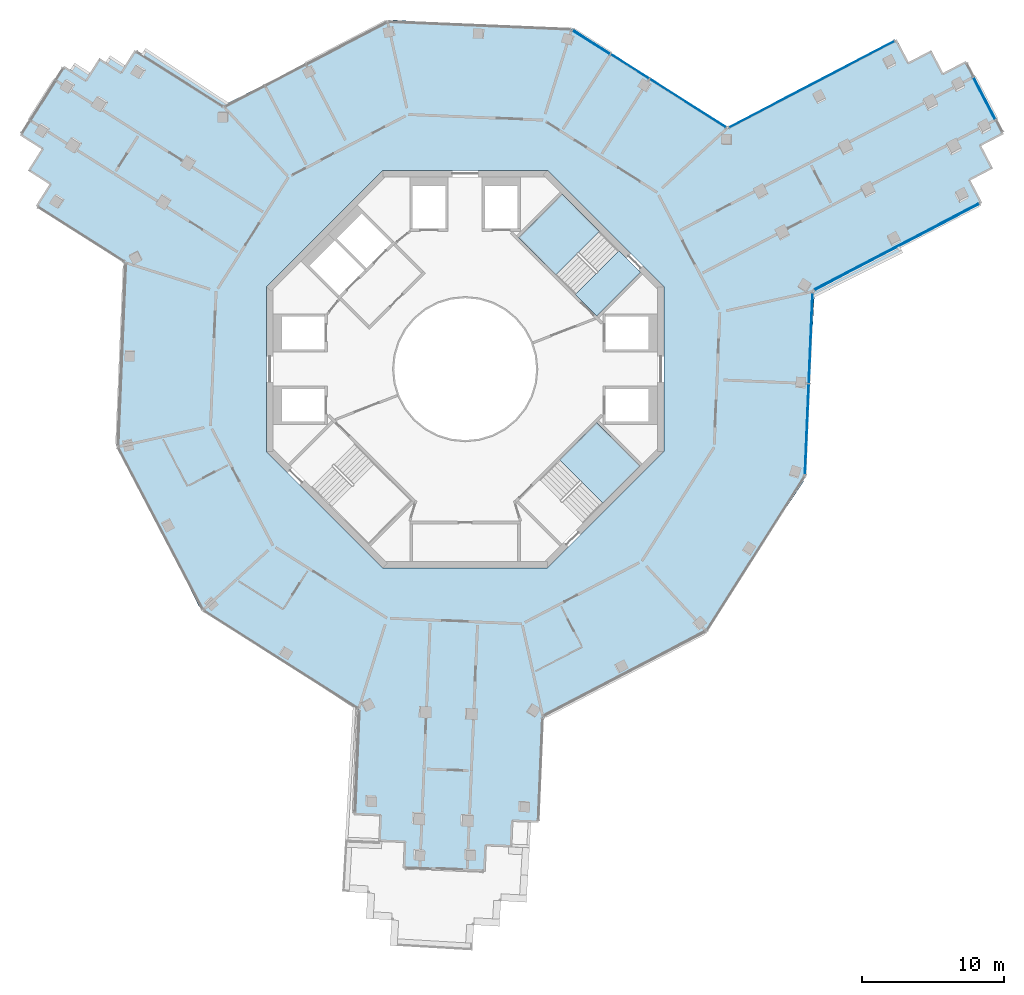
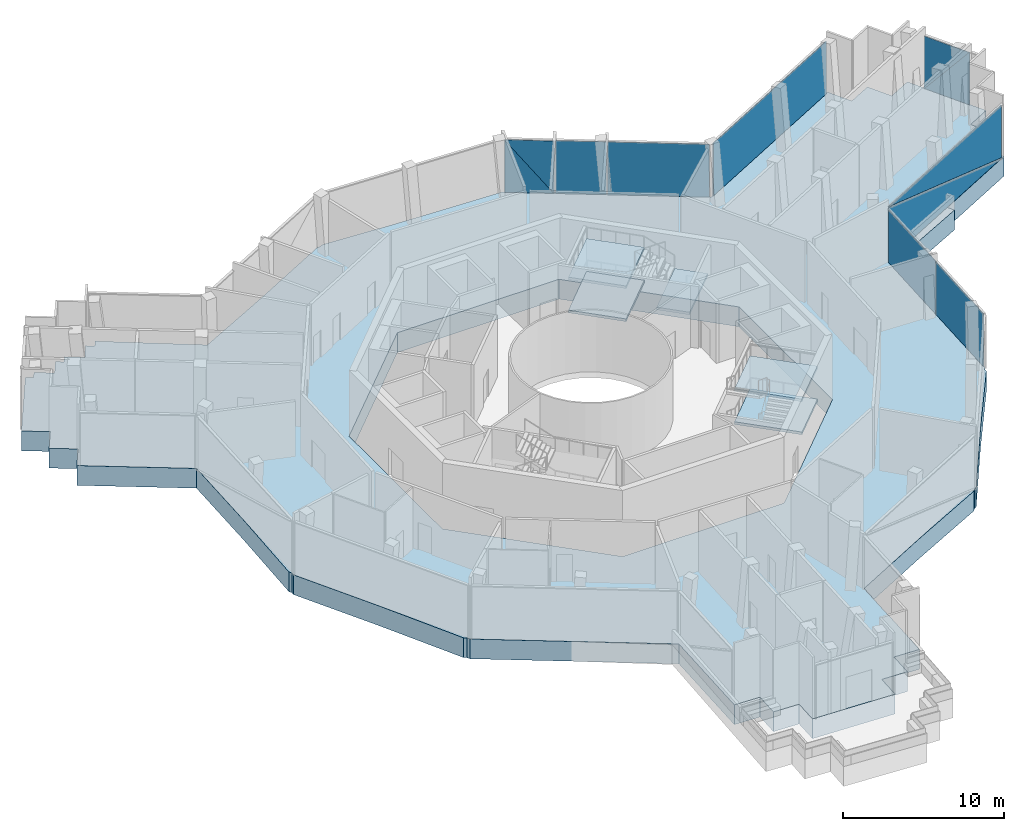
# One storey, part 9 of 21: 11 plates, 6 slabs, 7 elements without a shape of their own.
"""IFC4 building model written with IfcOpenShell, lengths in metres."""

from ifc_helpers import new_model, si_unit, direction, frame, origin, origin_2d, place, context, subcontext, project, spatial, polyline, rectangle, outline, extrude, material, layer, layer_set, type_object, element, aggregate, save


model = new_model("IFC4")

# Units and contexts
model_context = context("Model", 3, precision=1e-05, world=origin(), true_north=direction((0.0, 1.0)))
body_context = subcontext(model_context, "Body", "Model", "MODEL_VIEW")
ifc_project = project(units=[si_unit("LENGTHUNIT", "METRE"), si_unit("AREAUNIT", "SQUARE_METRE"), si_unit("VOLUMEUNIT", "CUBIC_METRE"), si_unit("PLANEANGLEUNIT", "RADIAN"), si_unit("MASSUNIT", "GRAM", prefix="KILO")], contexts=[model_context])

# Site, building, storey
site_placement = place(None, origin())
site = spatial("IfcSite", under=ifc_project, at=site_placement, CompositionType="ELEMENT")
building_placement = place(site_placement, origin())
building = spatial("IfcBuilding", under=site, at=building_placement, Name="Verdalira Terraces Hotel", CompositionType="ELEMENT")
storey_placement = place(building_placement, frame((0.0, 0.0, 269.0)))
storey = spatial("IfcBuildingStorey", under=building, at=storey_placement, Name="L66", CompositionType="ELEMENT", Elevation=269.0)

# Curtain wall, plates
ifc_material_1 = material(Name="Clear glass", Category="glass")
ifc_layer_1 = layer(ifc_material_1, 0.239990234375)
ifc_layer_set_1 = layer_set([ifc_layer_1], Name="CW5 curtain wall")
curtain_wall_type = type_object("IfcCurtainWallType", Name="CW5 curtain wall", PredefinedType="NOTDEFINED", material=ifc_layer_set_1)
curtain_wall_1_placement = place(storey_placement, origin())
curtain_wall_1 = element("IfcCurtainWall", 1, at=curtain_wall_1_placement, inside=storey, type_object=curtain_wall_type, Name="CW5 curtain wall L66 edge 27", PredefinedType="NOTDEFINED")
ifc_material_2 = material(Name="Clear glass", Category="glass")
ifc_layer_2 = layer(ifc_material_2, 0.0439453125)
ifc_layer_set_2 = layer_set([ifc_layer_2], Name="CW5 glass unit 44")
plate_type = type_object("IfcPlateType", Name="CW5 glass unit 44", PredefinedType="CURTAIN_PANEL", material=ifc_layer_set_2)
plate_1_placement = place(storey_placement, frame((24.07251, -4.224121, 0.0), z_axis=(0.0, 0.0, 1.0), x_axis=(0.041875654, 0.99912283, 0.0)))
plate_1 = element("IfcPlate", 2, at=plate_1_placement, type_object=plate_type, Name="CW5 glass unit", PredefinedType="CURTAIN_PANEL", context=body_context, shape_type="SweptSolid", body=[
    extrude(rectangle(XDim=6.354736, YDim=0.043945, at=origin_2d()), origin(), (0.0, 0.0, 1.0), 4.014893),
])
plate_2_placement = place(storey_placement, frame((24.341309, 2.189209, 0.0), z_axis=(0.0, 0.0, 1.0), x_axis=(0.041875654, 0.99912283, 0.0)))
plate_2 = element("IfcPlate", 3, at=plate_2_placement, type_object=plate_type, Name="CW5 glass unit", PredefinedType="CURTAIN_PANEL", context=body_context, shape_type="SweptSolid", body=[
    extrude(rectangle(XDim=6.343018, YDim=0.043945, at=origin_2d()), origin(), (0.0, 0.0, 1.0), 4.014893),
])
aggregate(curtain_wall_1, [plate_1, plate_2])

curtain_wall_2_placement = place(storey_placement, origin())
curtain_wall_2 = element("IfcCurtainWall", 4, at=curtain_wall_2_placement, inside=storey, type_object=curtain_wall_type, Name="CW5 curtain wall L66 edge 28", PredefinedType="NOTDEFINED")
plate_3_placement = place(storey_placement, frame((30.400146, 8.616943, 2.007568), z_axis=(0.463296035, -0.886203579, 0.0), x_axis=(0.886203579, 0.463296035, 0.0)))
plate_3 = element("IfcPlate", 5, at=plate_3_placement, type_object=plate_type, Name="CW5 glass unit", PredefinedType="CURTAIN_PANEL", context=body_context, shape_type="SweptSolid", body=[
    extrude(outline(polyline([(-6.55249, -2.007324), (6.55249, -2.007324), (-6.55249, 2.007324), (-6.55249, -2.007324)])), origin(), (0.0, 0.0, 1.0), 0.043945),
])
plate_4_placement = place(storey_placement, frame((30.379395, 8.656738, 2.007568), z_axis=(0.463296035, -0.886203579, 0.0), x_axis=(0.886203579, 0.463296035, 0.0)))
plate_4 = element("IfcPlate", 6, at=plate_4_placement, type_object=plate_type, Name="CW5 glass unit", PredefinedType="CURTAIN_PANEL", context=body_context, shape_type="SweptSolid", body=[
    extrude(outline(polyline([(6.55249, -2.007324), (6.55249, 2.007324), (-6.55249, 2.007324), (6.55249, -2.007324)])), origin(), (0.0, 0.0, 1.0), 0.043945),
])
aggregate(curtain_wall_2, [plate_3, plate_4])

curtain_wall_3_placement = place(storey_placement, origin())
curtain_wall_3 = element("IfcCurtainWall", 7, at=curtain_wall_3_placement, inside=storey, type_object=curtain_wall_type, Name="CW5 curtain wall L66 edge 33", PredefinedType="NOTDEFINED")
plate_5_placement = place(storey_placement, frame((36.582275, 19.067627, 2.007568), z_axis=(0.886203579, 0.463296035, 0.0), x_axis=(-0.463296035, 0.886203579, 0.0)))
plate_5 = element("IfcPlate", 8, at=plate_5_placement, type_object=plate_type, Name="CW5 glass unit", PredefinedType="CURTAIN_PANEL", context=body_context, shape_type="SweptSolid", body=[
    extrude(outline(polyline([(-1.660645, -2.007324), (1.660645, -2.007324), (-1.660645, 2.007324), (-1.660645, -2.007324)])), origin(), (0.0, 0.0, 1.0), 0.043945),
])
plate_6_placement = place(storey_placement, frame((36.54248, 19.046875, 2.007568), z_axis=(0.886203579, 0.463296035, 0.0), x_axis=(-0.463296035, 0.886203579, 0.0)))
plate_6 = element("IfcPlate", 9, at=plate_6_placement, type_object=plate_type, Name="CW5 glass unit", PredefinedType="CURTAIN_PANEL", context=body_context, shape_type="SweptSolid", body=[
    extrude(outline(polyline([(1.660645, -2.007324), (1.660645, 2.007324), (-1.660645, 2.007324), (1.660645, -2.007324)])), origin(), (0.0, 0.0, 1.0), 0.043945),
])
aggregate(curtain_wall_3, [plate_5, plate_6])

# Curtain wall, plate
curtain_wall_4_placement = place(storey_placement, origin())
curtain_wall_4 = element("IfcCurtainWall", 10, at=curtain_wall_4_placement, inside=storey, type_object=curtain_wall_type, Name="CW5 curtain wall L66 edge 38", PredefinedType="NOTDEFINED")
plate_7_placement = place(storey_placement, frame((24.415283, 20.064697, 0.0), z_axis=(0.0, 0.0, 1.0), x_axis=(-0.886203579, -0.463296035, 0.0)))
plate_7 = element("IfcPlate", 11, at=plate_7_placement, type_object=plate_type, Name="CW5 glass unit", PredefinedType="CURTAIN_PANEL", context=body_context, shape_type="SweptSolid", body=[
    extrude(rectangle(XDim=13.10498, YDim=0.043945, at=origin_2d()), origin(), (0.0, 0.0, 1.0), 4.014893),
])
aggregate(curtain_wall_4, [plate_7])

# Curtain wall, plates
curtain_wall_5_placement = place(storey_placement, origin())
curtain_wall_5 = element("IfcCurtainWall", 12, at=curtain_wall_5_placement, inside=storey, type_object=curtain_wall_type, Name="CW5 curtain wall L66 edge 39", PredefinedType="NOTDEFINED")
plate_8_placement = place(storey_placement, frame((15.689453, 18.738525, 0.0), z_axis=(0.0, 0.0, 1.0), x_axis=(-0.844327926, 0.535826795, 0.0)))
plate_8 = element("IfcPlate", 13, at=plate_8_placement, type_object=plate_type, Name="CW5 glass unit", PredefinedType="CURTAIN_PANEL", context=body_context, shape_type="SweptSolid", body=[
    extrude(rectangle(XDim=6.343018, YDim=0.043945, at=origin_2d()), origin(), (0.0, 0.0, 1.0), 4.014893),
])
plate_9_placement = place(storey_placement, frame((11.610107, 21.327393, 0.0), z_axis=(0.0, 0.0, 1.0), x_axis=(-0.844327926, 0.535826795, 0.0)))
plate_9 = element("IfcPlate", 14, at=plate_9_placement, type_object=plate_type, Name="CW5 glass unit", PredefinedType="CURTAIN_PANEL", context=body_context, shape_type="SweptSolid", body=[
    extrude(rectangle(XDim=3.179932, YDim=0.043945, at=origin_2d()), origin(), (0.0, 0.0, 1.0), 4.014893),
])
plate_10_placement = place(storey_placement, frame((8.88623, 23.030029, 2.007568), z_axis=(0.535826795, 0.844327926, 0.0), x_axis=(-0.844327926, 0.535826795, 0.0)))
plate_10 = element("IfcPlate", 15, at=plate_10_placement, type_object=plate_type, Name="CW5 glass unit", PredefinedType="CURTAIN_PANEL", context=body_context, shape_type="SweptSolid", body=[
    extrude(outline(polyline([(-1.552246, -2.007324), (1.552246, -2.007324), (1.552246, 2.007324), (-1.552246, -2.007324)])), origin(), (0.0, 0.0, 1.0), 0.043945),
])
plate_11_placement = place(storey_placement, frame((8.862061, 22.992188, 2.007568), z_axis=(0.535826795, 0.844327926, 0.0), x_axis=(-0.844327926, 0.535826795, 0.0)))
plate_11 = element("IfcPlate", 16, at=plate_11_placement, type_object=plate_type, Name="CW5 glass unit", PredefinedType="CURTAIN_PANEL", context=body_context, shape_type="SweptSolid", body=[
    extrude(outline(polyline([(-1.552246, -2.007324), (1.552246, 2.007324), (-1.552246, 2.007324), (-1.552246, -2.007324)])), origin(), (0.0, 0.0, 1.0), 0.043945),
])
aggregate(curtain_wall_5, [plate_8, plate_9, plate_10, plate_11])

# Stair, slabs
ifc_material_3 = material(Name="Concrete C40", Category="concrete")
stair_type = type_object("IfcStairType", Name="Core stair 32 risers 2125 mm wide", PredefinedType="HALF_TURN_STAIR", material=ifc_material_3)
stair_1_placement = place(storey_placement, origin())
stair_1 = element("IfcStair", 17, at=stair_1_placement, inside=storey, type_object=stair_type, Name="L66 Exit stair ST1", PredefinedType="HALF_TURN_STAIR")
ifc_material_4 = material(Name="Concrete C40", Category="concrete")
ifc_layer_3 = layer(ifc_material_4, 0.199951171875)
ifc_layer_set_3 = layer_set([ifc_layer_3], Name="Core stair landing 200 mm")
slab_type_1 = type_object("IfcSlabType", Name="Core stair landing 200 mm", PredefinedType="LANDING", material=ifc_layer_set_3)
slab_1_placement = place(storey_placement, frame((0.0, 0.0, 1.050049)))
slab_1 = element("IfcSlab", 18, at=slab_1_placement, type_object=slab_type_1, Name="ST1 landing 1", PredefinedType="LANDING", context=body_context, shape_type="SweptSolid", body=[
    extrude(outline(polyline([(9.450928, 9.71167), (6.823486, 12.339111), (3.747559, 9.263184), (6.375, 6.635742), (9.450928, 9.71167)])), origin(), (0.0, 0.0, 1.0), 0.199951),
])
slab_2_placement = place(storey_placement, frame((0.0, 0.0, 2.300049)))
slab_2 = element("IfcSlab", 19, at=slab_2_placement, type_object=slab_type_1, Name="ST1 landing 2", PredefinedType="LANDING", context=body_context, shape_type="SweptSolid", body=[
    extrude(outline(polyline([(12.339111, 6.823486), (10.835938, 8.326416), (7.760254, 5.250732), (9.263184, 3.747559), (12.339111, 6.823486)])), origin(), (0.0, 0.0, 1.0), 0.199951),
])
slab_3_placement = place(storey_placement, frame((0.0, 0.0, 3.550049)))
slab_3 = element("IfcSlab", 20, at=slab_3_placement, type_object=slab_type_1, Name="ST1 landing 3", PredefinedType="LANDING", context=body_context, shape_type="SweptSolid", body=[
    extrude(outline(polyline([(9.450928, 9.71167), (6.823486, 12.339111), (3.747559, 9.263184), (6.375, 6.635742), (9.450928, 9.71167)])), origin(), (0.0, 0.0, 1.0), 0.199951),
])
aggregate(stair_1, [slab_1, slab_2, slab_3])

stair_2_placement = place(storey_placement, origin())
stair_2 = element("IfcStair", 21, at=stair_2_placement, inside=storey, type_object=stair_type, Name="L66 Exit stair ST3", PredefinedType="HALF_TURN_STAIR")
slab_4_placement = place(storey_placement, frame((0.0, 0.0, 1.050049)))
slab_4 = element("IfcSlab", 22, at=slab_4_placement, type_object=slab_type_1, Name="ST3 landing 1", PredefinedType="LANDING", context=body_context, shape_type="SweptSolid", body=[
    extrude(outline(polyline([(9.71167, -9.450928), (12.339111, -6.823486), (9.263184, -3.747559), (6.635742, -6.375), (9.71167, -9.450928)])), origin(), (0.0, 0.0, 1.0), 0.199951),
])
slab_5_placement = place(storey_placement, frame((0.0, 0.0, 3.550049)))
slab_5 = element("IfcSlab", 23, at=slab_5_placement, type_object=slab_type_1, Name="ST3 landing 3", PredefinedType="LANDING", context=body_context, shape_type="SweptSolid", body=[
    extrude(outline(polyline([(9.71167, -9.450928), (12.339111, -6.823486), (9.263184, -3.747559), (6.635742, -6.375), (9.71167, -9.450928)])), origin(), (0.0, 0.0, 1.0), 0.199951),
])
aggregate(stair_2, [slab_4, slab_5])

# Slab
ifc_material_5 = material(Name="Concrete C60", Category="concrete")
ifc_layer_4 = layer(ifc_material_5, 1.5)
ifc_layer_set_4 = layer_set([ifc_layer_4], Name="Transfer slab 1500 C60")
slab_type_2 = type_object("IfcSlabType", Name="Transfer slab 1500 C60", PredefinedType="FLOOR", material=ifc_layer_set_4)
slab_6_placement = place(storey_placement, frame((0.0, 0.0, -1.5)))
element("IfcSlab", 24, at=slab_6_placement, inside=storey, type_object=slab_type_2, Name="Transfer slab TS-66", PredefinedType="FLOOR", context=body_context, shape_type="SweptSolid", body=[
    extrude(outline(polyline([(-11.058594, 21.592041), (-16.687012, 18.768555), (-22.520996, 22.609619), (-22.80835, 22.173096), (-23.286865, 22.476807), (-23.966309, 21.406006), (-25.01416, 22.095947), (-25.318359, 21.634033), (-25.770996, 21.921387), (-26.43457, 20.875977), (-27.507568, 21.58252), (-27.828369, 21.095215), (-28.255371, 21.366211), (-31.363281, 16.468994), (-29.843506, 15.504395), (-30.807861, 13.984619), (-29.288086, 13.020264), (-30.252686, 11.500488), (-23.964844, 7.51001), (-24.228516, 1.218994), (-24.597656, -5.067139), (-24.5, -5.26123), (-24.509277, -5.478516), (-21.592041, -11.058594), (-18.768555, -16.687012), (-18.587158, -16.806396), (-18.486328, -16.999023), (-13.172119, -20.371582), (-13.171631, -20.371338), (-7.509521, -23.9646), (-7.821533, -31.404785), (-6.022949, -31.480225), (-6.098389, -33.278809), (-4.300049, -33.354004), (-4.375488, -35.152588), (1.418457, -35.395264), (1.493896, -33.596924), (3.292236, -33.672363), (3.367676, -31.873779), (4.637207, -31.927002), (4.637207, -31.92749), (5.166504, -31.949707), (5.478516, -24.509277), (11.058594, -21.592041), (16.687012, -18.768555), (16.806396, -18.587158), (16.999023, -18.486328), (20.373047, -13.169922), (23.835693, -7.910645), (23.848389, -7.693604), (23.964844, -7.51001), (24.228516, -1.218994), (24.597656, 5.067139), (30.841064, 8.198975), (30.606689, 8.666016), (36.426025, 11.708496), (35.592041, 13.303711), (37.187256, 14.137451), (36.353516, 15.732666), (37.948486, 16.56665), (35.261475, 21.706543), (33.66626, 20.872803), (32.832275, 22.467773), (31.237305, 21.633789), (30.40332, 23.229004), (18.486328, 16.999023), (13.169922, 20.373047), (7.910645, 23.835693), (7.693604, 23.848389), (7.51001, 23.964844), (1.218994, 24.228516), (-5.067139, 24.597656), (-5.26123, 24.5), (-5.478516, 24.509277), (-11.058594, 21.592041)]), holes=[polyline([(5.799072, 14.0), (14.0, 5.799072), (14.0, -5.799072), (5.799072, -14.0), (-5.799072, -14.0), (-14.0, -5.799072), (-14.0, 5.799072), (-5.799072, 14.0), (5.799072, 14.0)])]), origin(), (0.0, 0.0, 1.0), 1.5),
])

save(model, "model.ifc")
